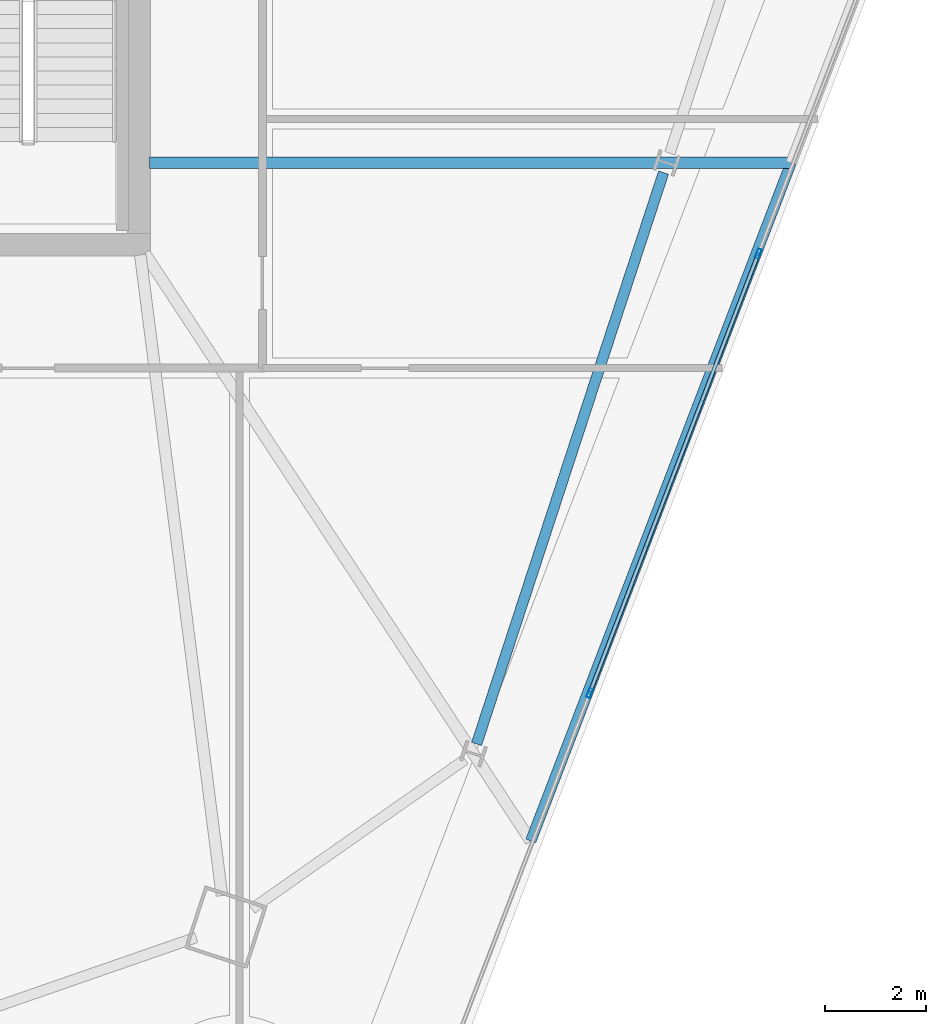
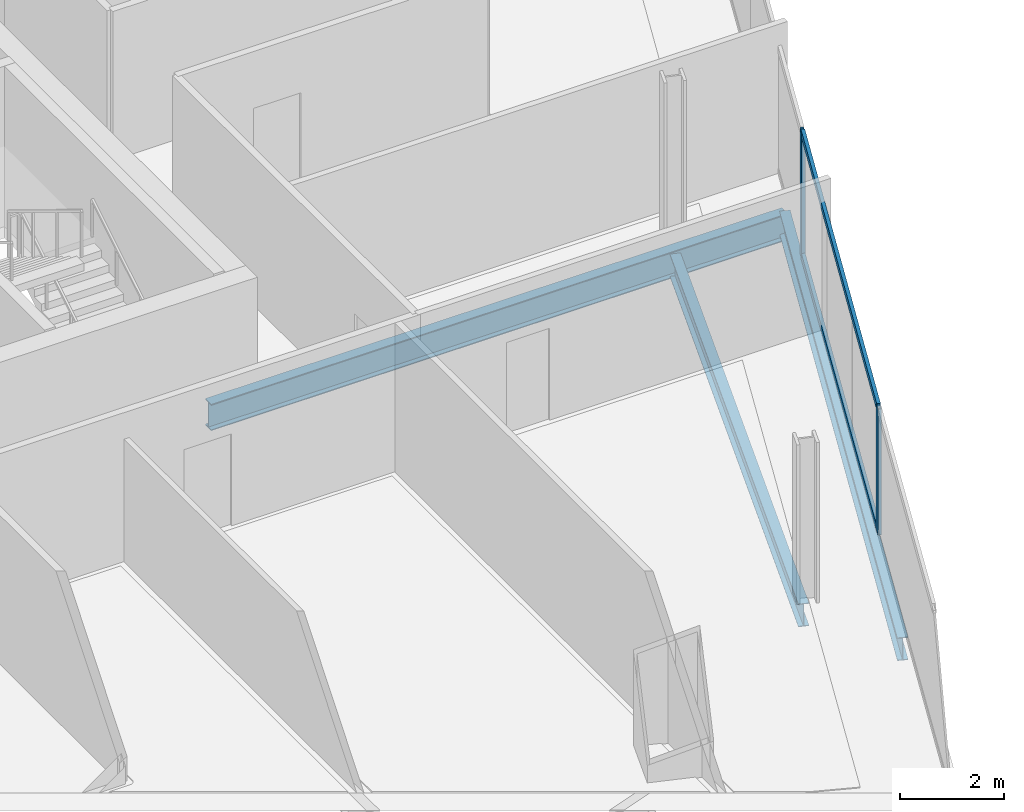
# One storey, part 10 of 27: 4 members, 3 beams, 1 element without a shape of its own.
"""IFC4 building model written with IfcOpenShell, lengths in metres."""

from ifc_helpers import new_model, si_unit, direction, frame, origin, origin_2d, place, context, subcontext, project, spatial, hollow_rectangle, i_section, extrude, material, material_profile, profile_set, type_object, element, aggregate, save


model = new_model("IFC4")

# Units and contexts
model_context = context("Model", 3, precision=1e-05, world=origin(), true_north=direction((0.0, 1.0)))
body_context = subcontext(model_context, "Body", "Model", "MODEL_VIEW")
ifc_project = project(units=[si_unit("LENGTHUNIT", "METRE"), si_unit("AREAUNIT", "SQUARE_METRE"), si_unit("VOLUMEUNIT", "CUBIC_METRE"), si_unit("PLANEANGLEUNIT", "RADIAN"), si_unit("MASSUNIT", "GRAM", prefix="KILO")], contexts=[model_context])

# Site, building, storey
site_placement = place(None, origin())
site = spatial("IfcSite", under=ifc_project, at=site_placement, CompositionType="ELEMENT")
building_placement = place(site_placement, origin())
building = spatial("IfcBuilding", under=site, at=building_placement, Name="Haldenkirk Collegiate Tower", CompositionType="ELEMENT")
storey_placement = place(building_placement, frame((0.0, 0.0, 259.949951171875)))
storey = spatial("IfcBuildingStorey", under=building, at=storey_placement, Name="L65", CompositionType="ELEMENT", Elevation=259.949951171875)

# Beams
ifc_material_1 = material(Name="Steel ASTM A992 Grade 50", Category="steel")
ifc_material_profile_1 = material_profile(ifc_material_1, i_section(OverallWidth=0.22998046875, OverallDepth=0.616943359375, WebThickness=0.01318359375, FlangeThickness=0.022216796875, at=origin_2d()), Name="W24X94")
ifc_profile_set_1 = profile_set([ifc_material_profile_1], Name="Steel ASTM A992 Grade 50")
beam_type_1 = type_object("IfcBeamType", Name="BM-GIRDER-W24X94", PredefinedType="BEAM", material=ifc_profile_set_1)
beam_1_placement = place(storey_placement, frame((57.953369140625, 19.624267578125, -0.578369140625), z_axis=(-1.0, 0.0, 0.0), x_axis=(0.0, -1.0, 0.0)))
element("IfcBeam", 1, at=beam_1_placement, inside=storey, type_object=beam_type_1, Name="L65 primary floor girder 06", PredefinedType="BEAM", context=body_context, shape_type="SweptSolid", body=[
    extrude(i_section(OverallWidth=0.22998046875, OverallDepth=0.616943359375, WebThickness=0.01318359375, FlangeThickness=0.022216796875, at=origin_2d()), origin(), (0.0, 0.0, 1.0), 12.748291015625),
])
ifc_material_profile_2 = material_profile(ifc_material_1, i_section(OverallWidth=0.2099609375, OverallDepth=0.537109375, WebThickness=0.010986328125, FlangeThickness=0.017333984375, at=origin_2d()), Name="W21X68")
ifc_profile_set_2 = profile_set([ifc_material_profile_2], Name="Steel ASTM A992 Grade 50")
beam_type_2 = type_object("IfcBeamType", Name="BM-SPANDREL-W21X68", PredefinedType="SPANDREL", material=ifc_profile_set_2)
beam_2_placement = place(storey_placement, frame((51.7060546875, 8.081298828125, -0.538330078125), z_axis=(0.311010188249, 0.950406577631, 0.0), x_axis=(-0.950406577631, 0.311010188249, 0.0)))
element("IfcBeam", 2, at=beam_2_placement, inside=storey, type_object=beam_type_2, Name="L65 perimeter spandrel beam 02", PredefinedType="SPANDREL", context=body_context, shape_type="SweptSolid", body=[
    extrude(i_section(OverallWidth=0.2099609375, OverallDepth=0.537109375, WebThickness=0.010986328125, FlangeThickness=0.017333984375, at=origin_2d()), origin(), (0.0, 0.0, 1.0), 11.94287109375),
])
beam_3_placement = place(storey_placement, frame((52.78271484375, 6.154296875, -0.538330078125), z_axis=(0.358368975921, 0.933580032508, 0.0), x_axis=(-0.933580032508, 0.358368975921, 0.0)))
element("IfcBeam", 3, at=beam_3_placement, inside=storey, type_object=beam_type_2, Name="L65 outer facade edge beam 1A", PredefinedType="SPANDREL", context=body_context, shape_type="SweptSolid", body=[
    extrude(i_section(OverallWidth=0.2099609375, OverallDepth=0.537109375, WebThickness=0.010986328125, FlangeThickness=0.017333984375, at=origin_2d()), origin(), (0.0, 0.0, 1.0), 14.42822265625),
])

# Curtain wall, members
ifc_material_2 = material(Name="Anodised architectural bronze aluminium", Category="aluminium")
curtain_wall_type = type_object("IfcCurtainWallType", Name="CW-SYS2-CONCAVE", PredefinedType="USERDEFINED", material=ifc_material_2)
curtain_wall_placement = place(storey_placement, origin())
curtain_wall = element("IfcCurtainWall", 4, at=curtain_wall_placement, inside=storey, type_object=curtain_wall_type, Name="L65 South concave recessed bronze-anodised curtain wall", ObjectType="UNITISED CURTAIN WALL", PredefinedType="USERDEFINED")
ifc_material_profile_3 = material_profile(ifc_material_2, hollow_rectangle(XDim=0.074951171875, YDim=0.18994140625, WallThickness=0.0048828125, at=origin_2d()), Name="CW-MUL-02")
ifc_profile_set_3 = profile_set([ifc_material_profile_3], Name="Anodised architectural bronze aluminium")
member_type_1 = type_object("IfcMemberType", Name="CW-MUL-02", PredefinedType="MULLION", material=ifc_profile_set_3)
member_1_placement = place(storey_placement, frame((57.304443359375, 17.822021484375, 0.0), z_axis=(0.0, 0.0, 1.0), x_axis=(0.933579158551, -0.358371252641, 0.0)))
member_1 = element("IfcMember", 5, at=member_1_placement, type_object=member_type_1, Name="CW-02 mullion 3", PredefinedType="MULLION", context=body_context, shape_type="SweptSolid", body=[
    extrude(hollow_rectangle(XDim=0.074951171875, YDim=0.18994140625, WallThickness=0.0048828125, at=origin_2d()), origin(), (0.0, 0.0, 1.0), 2.93798828125),
])
member_2_placement = place(storey_placement, frame((53.95361328125, 9.093017578125, 0.0), z_axis=(0.0, 0.0, 1.0), x_axis=(0.933579158551, -0.358371252641, 0.0)))
member_2 = element("IfcMember", 6, at=member_2_placement, type_object=member_type_1, Name="CW-02 mullion 4", PredefinedType="MULLION", context=body_context, shape_type="SweptSolid", body=[
    extrude(hollow_rectangle(XDim=0.074951171875, YDim=0.18994140625, WallThickness=0.0048828125, at=origin_2d()), origin(), (0.0, 0.0, 1.0), 2.93798828125),
])
ifc_material_profile_4 = material_profile(ifc_material_2, hollow_rectangle(XDim=0.074951171875, YDim=0.159912109375, WallThickness=0.0048828125, at=origin_2d()), Name="CW-TRN-02")
ifc_profile_set_4 = profile_set([ifc_material_profile_4], Name="Anodised architectural bronze aluminium")
member_type_2 = type_object("IfcMemberType", Name="CW-TRN-02", PredefinedType="USERDEFINED", material=ifc_profile_set_4)
member_3_placement = place(storey_placement, frame((57.291015625, 17.787109375, 0.03759765625), z_axis=(-0.358379288981, -0.933576073617, 0.0), x_axis=(0.933576073617, -0.358379288981, 0.0)))
member_3 = element("IfcMember", 7, at=member_3_placement, type_object=member_type_2, Name="CW-02 transom 3.1", ObjectType="TRANSOM", PredefinedType="USERDEFINED", context=body_context, shape_type="SweptSolid", body=[
    extrude(hollow_rectangle(XDim=0.074951171875, YDim=0.159912109375, WallThickness=0.0048828125, at=origin_2d()), origin(), (0.0, 0.0, 1.0), 9.27490234375),
])
member_4_placement = place(storey_placement, frame((57.291015625, 17.787109375, 2.900634765625), z_axis=(-0.358379288981, -0.933576073617, 0.0), x_axis=(0.933576073617, -0.358379288981, 0.0)))
member_4 = element("IfcMember", 8, at=member_4_placement, type_object=member_type_2, Name="CW-02 transom 3.2", ObjectType="TRANSOM", PredefinedType="USERDEFINED", context=body_context, shape_type="SweptSolid", body=[
    extrude(hollow_rectangle(XDim=0.074951171875, YDim=0.159912109375, WallThickness=0.0048828125, at=origin_2d()), origin(), (0.0, 0.0, 1.0), 9.27490234375),
])
aggregate(curtain_wall, [member_1, member_2, member_3, member_4])

save(model, "model.ifc")
